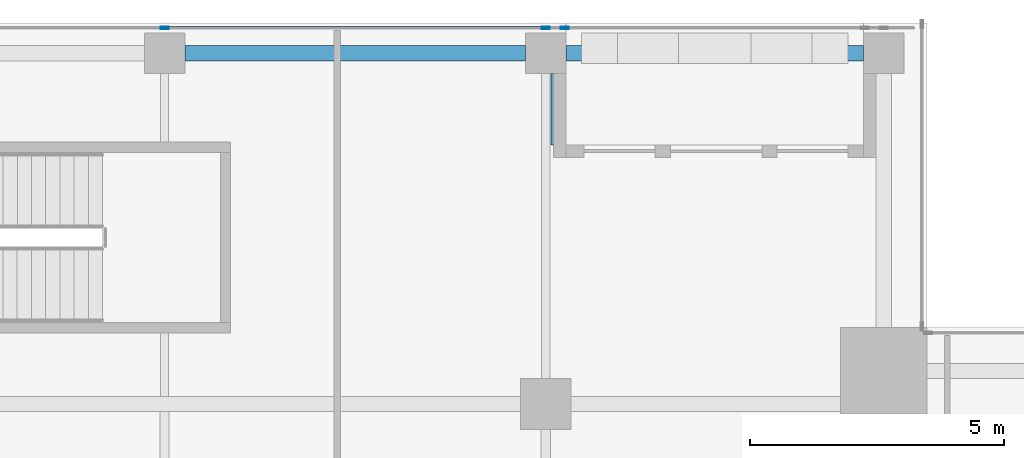
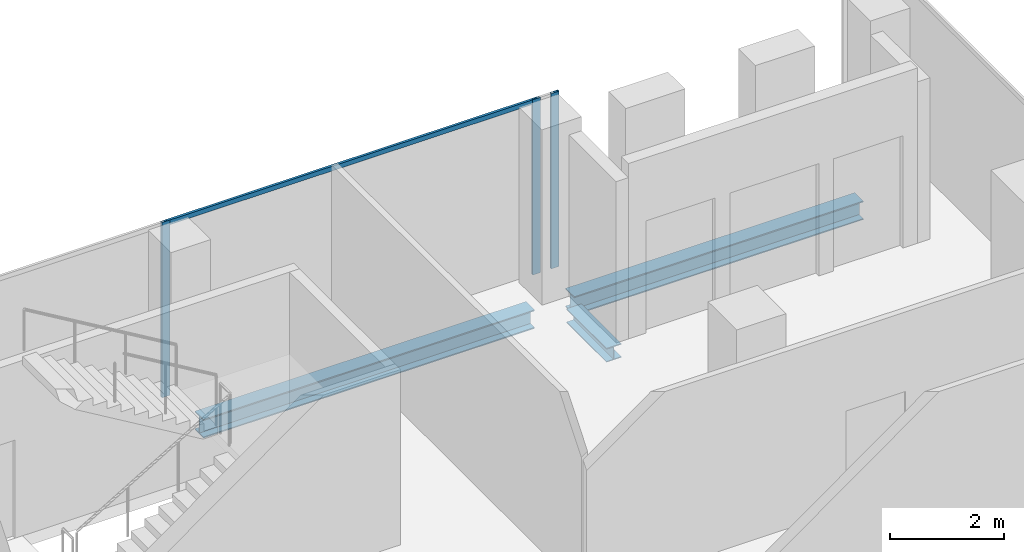
# One storey, part 17 of 29: 4 members, 3 beams, 1 element without a shape of its own.
"""IFC4 building model written with IfcOpenShell, lengths in metres."""

import ifcopenshell
import ifcopenshell.guid

model = None  # the IFC model being written
_history = None  # IfcOwnerHistory: only IFC2X3 demands one
_inside = {}  # id of a spatial element -> (the spatial element, [elements in it])
_under = {}  # id of a project, library or spatial element -> (it, [spatial elements below it])
_declared = {}  # id of a project -> (the project, [libraries it declares])
_typed = {}  # id of a type object -> (the type object, [elements of that type])
_made_of = {}  # id of a material, layer set ... -> (it, [elements and type objects made of it])


def new_model(schema):
    """Start an empty IFC model of exactly this schema.

    Asked for "IFC4X3", IfcOpenShell would pick the latest addendum, in which some entities
    have other attributes; the version numbers below select the first issue.
    IFC2X3 requires an IfcOwnerHistory on every rooted entity: one is made here for all.
    """
    global model, _history
    if schema == "IFC4X3":
        model = ifcopenshell.file(schema_version=(4, 3, 0, 0))
    else:
        model = ifcopenshell.file(schema=schema)
    _inside.clear()
    _under.clear()
    _declared.clear()
    _typed.clear()
    _made_of.clear()
    _history = None
    if model.schema == "IFC2X3":
        org = make("IfcOrganization", Name="unknown")
        user = make(
            "IfcPersonAndOrganization",
            ThePerson=make("IfcPerson", FamilyName="unknown"),
            TheOrganization=org,
        )
        app = make(
            "IfcApplication",
            ApplicationDeveloper=org,
            Version="unknown",
            ApplicationFullName="unknown",
            ApplicationIdentifier="unknown",
        )
        _history = make(
            "IfcOwnerHistory",
            OwningUser=user,
            OwningApplication=app,
            ChangeAction="ADDED",
            CreationDate=0,
        )
    return model


def make(cls, **values):
    """One entity of the class cls with the attributes given. An attribute that is None is left unset."""
    return model.create_entity(
        cls, **{name: value for name, value in values.items() if value is not None}
    )


def rooted(cls, **values):
    """An entity with a GlobalId (a new one), such as an element, a storey or a relation."""
    return make(cls, GlobalId=ifcopenshell.guid.new(), OwnerHistory=_history, **values)


def si_unit(unit_type, name, prefix=None):
    """IfcSIUnit, for example si_unit("LENGTHUNIT", "METRE", prefix="MILLI")."""
    return make("IfcSIUnit", UnitType=unit_type, Prefix=prefix, Name=name)


def assignment(units):
    """IfcUnitAssignment: the units of a project."""
    return None if units is None else make("IfcUnitAssignment", Units=units)


def point(xyz):
    """IfcCartesianPoint."""
    return None if xyz is None else make("IfcCartesianPoint", Coordinates=xyz)


def direction(xyz):
    """IfcDirection."""
    return None if xyz is None else make("IfcDirection", DirectionRatios=xyz)


def frame(location, z_axis=None, x_axis=None):
    """IfcAxis2Placement3D, a coordinate frame: its origin and axes. An axis left out is left unset."""
    return make(
        "IfcAxis2Placement3D",
        Location=point(location),
        Axis=direction(z_axis),
        RefDirection=direction(x_axis),
    )


def frame_2d(location, x_axis=None):
    """IfcAxis2Placement2D, a coordinate frame in the plane: its origin and x axis."""
    return make(
        "IfcAxis2Placement2D", Location=point(location), RefDirection=direction(x_axis)
    )


def origin():
    """The frame at (0, 0, 0) with its axes left unset."""
    return frame((0.0, 0.0, 0.0))


def origin_2d():
    """The frame at (0, 0) in the plane with its x axis left unset."""
    return frame_2d((0.0, 0.0))


def place(relative_to, where):
    """IfcLocalPlacement: puts the frame where relative to a parent placement (None: the world)."""
    return make(
        "IfcLocalPlacement", PlacementRelTo=relative_to, RelativePlacement=where
    )


def context(
    kind, dimensions, precision=None, world=None, true_north=None, identifier=None
):
    """IfcGeometricRepresentationContext, for example the 3D "Model" context."""
    return make(
        "IfcGeometricRepresentationContext",
        ContextIdentifier=identifier,
        ContextType=kind,
        CoordinateSpaceDimension=dimensions,
        Precision=precision,
        WorldCoordinateSystem=world,
        TrueNorth=true_north,
    )


def subcontext(parent, identifier, kind, view, scale=None):
    """IfcGeometricRepresentationSubContext, for example "Body" below "Model"."""
    return make(
        "IfcGeometricRepresentationSubContext",
        ContextIdentifier=identifier,
        ContextType=kind,
        ParentContext=parent,
        TargetScale=scale,
        TargetView=view,
    )


def project(units=None, contexts=None):
    """IfcProject with its units and contexts."""
    return rooted(
        "IfcProject",
        Name="project",
        RepresentationContexts=contexts,
        UnitsInContext=assignment(units),
    )


def spatial(cls, under=None, at=None, **own):
    """A site, building, storey or space (cls), placed at a placement, below another one or the project."""
    s = rooted(cls, ObjectPlacement=at, **own)
    if under is not None:
        _under.setdefault(under.id(), (under, []))[1].append(s)
    return s


def profile(cls, at=None, kind="AREA", **sizes):
    """A parametric profile (cls). Its sizes go by their IFC names, for example OverallWidth=200.0."""
    return make(cls, ProfileType=kind, Position=at, **sizes)


def hollow_rectangle(**sizes):
    """IfcRectangleHollowProfileDef."""
    return profile("IfcRectangleHollowProfileDef", **sizes)


def i_section(**sizes):
    """IfcIShapeProfileDef."""
    return profile("IfcIShapeProfileDef", **sizes)


def extrude(swept, where, along, depth):
    """IfcExtrudedAreaSolid: the profile swept, set in the frame where, extruded along a direction by depth."""
    return make(
        "IfcExtrudedAreaSolid",
        SweptArea=swept,
        Position=where,
        ExtrudedDirection=direction(along),
        Depth=depth,
    )


def shape(context_of_items, identifier, shape_type, items):
    """IfcShapeRepresentation: the items that make up one representation, for example the "Body"."""
    return make(
        "IfcShapeRepresentation",
        ContextOfItems=context_of_items,
        RepresentationIdentifier=identifier,
        RepresentationType=shape_type,
        Items=items,
    )


def source(mapping_origin, context_of_items, identifier, shape_type, items):
    """IfcRepresentationMap: a shape defined once, which mapped items show again and again."""
    return make(
        "IfcRepresentationMap",
        MappingOrigin=mapping_origin,
        MappedRepresentation=shape(context_of_items, identifier, shape_type, items),
    )


def transform(
    local_origin,
    x_axis=None,
    y_axis=None,
    z_axis=None,
    scale=None,
    scale2=None,
    scale3=None,
    uniform=True,
):
    """IfcCartesianTransformationOperator3D, or its non-uniform kind. x_axis, y_axis, z_axis: its Axis1, 2, 3."""
    if uniform:
        return make(
            "IfcCartesianTransformationOperator3D",
            Axis1=direction(x_axis),
            Axis2=direction(y_axis),
            LocalOrigin=point(local_origin),
            Scale=scale,
            Axis3=direction(z_axis),
        )
    return make(
        "IfcCartesianTransformationOperator3DnonUniform",
        Axis1=direction(x_axis),
        Axis2=direction(y_axis),
        LocalOrigin=point(local_origin),
        Scale=scale,
        Axis3=direction(z_axis),
        Scale2=scale2,
        Scale3=scale3,
    )


def mapped(mapping_source, mapping_target):
    """IfcMappedItem: shows the shape of a source again, moved by a transform."""
    return make(
        "IfcMappedItem", MappingSource=mapping_source, MappingTarget=mapping_target
    )


def material(Name=None, Category=None):
    """IfcMaterial."""
    return make("IfcMaterial", Name=Name, Category=Category)


def material_profile(
    of_material, cross_section, Name=None, Category=None, Priority=None
):
    """IfcMaterialProfile: a cross section and its material."""
    return make(
        "IfcMaterialProfile",
        Name=Name,
        Material=of_material,
        Profile=cross_section,
        Priority=Priority,
        Category=Category,
    )


def profile_set(profiles, Name=None, composite=None):
    """IfcMaterialProfileSet."""
    return make(
        "IfcMaterialProfileSet",
        Name=Name,
        MaterialProfiles=profiles,
        CompositeProfile=composite,
    )


def made_of(thing, what):
    """Note that an element or type object is made of a material, layer set ...; save() writes the relation."""
    if what is not None:
        _made_of.setdefault(what.id(), (what, []))[1].append(thing)
    return thing


def type_object(cls, material=None, **own):
    """A type object (cls), such as IfcWallType, which elements share."""
    return made_of(rooted(cls, **own), material)


def element(
    cls,
    number,
    at=None,
    inside=None,
    cuts=None,
    type_object=None,
    material=None,
    context=None,
    identifier="Body",
    shape_type=None,
    held_by="IfcProductDefinitionShape",
    body=None,
    shapes=None,
    **own,
):
    """One element of the class cls, such as IfcWall. Its Tag is "e" and its number.

    at: its placement. inside: the storey or other place that contains it. cuts: it is an
    opening in that element (IfcRelVoidsElement). A single representation is given by context,
    identifier, shape_type and body (its items); several are given by shapes. held_by: the class
    of the entity that holds the representations. save() writes the other relations.
    """
    e = rooted(cls, Tag="e%d" % number, ObjectPlacement=at, **own)
    if body is not None:
        shapes = [shape(context, identifier, shape_type, body)]
    if shapes is not None:
        e.Representation = make(held_by, Representations=shapes)
    if inside is not None:
        _inside.setdefault(inside.id(), (inside, []))[1].append(e)
    if cuts is not None:
        rooted(
            "IfcRelVoidsElement", RelatingBuildingElement=cuts, RelatedOpeningElement=e
        )
    if type_object is not None:
        _typed.setdefault(type_object.id(), (type_object, []))[1].append(e)
    return made_of(e, material)


def aggregate(whole, parts):
    """IfcRelAggregates: a whole, such as a stair, and the parts it consists of."""
    return rooted("IfcRelAggregates", RelatingObject=whole, RelatedObjects=parts)


def save(model, path):
    """Write the relations noted so far, then the file.

    IfcRelAggregates (storeys below a building ...), IfcRelContainedInSpatialStructure (elements
    in a storey), IfcRelDefinesByType, IfcRelAssociatesMaterial and IfcRelDeclares: one each for
    every whole, place, type object, material and project.
    """
    for whole, parts in _under.values():
        aggregate(whole, parts)
    for where, things in _inside.values():
        rooted(
            "IfcRelContainedInSpatialStructure",
            RelatedElements=things,
            RelatingStructure=where,
        )
    for kind, things in _typed.values():
        rooted("IfcRelDefinesByType", RelatedObjects=things, RelatingType=kind)
    for what, things in _made_of.values():
        rooted("IfcRelAssociatesMaterial", RelatedObjects=things, RelatingMaterial=what)
    for by, libraries in _declared.values():
        rooted("IfcRelDeclares", RelatingContext=by, RelatedDefinitions=libraries)
    model.write(path)


model = new_model("IFC4")

# Units and contexts
model_context = context("Model", 3, precision=1e-05, world=origin(), true_north=direction((0.0, 1.0)))
body_context = subcontext(model_context, "Body", "Model", "MODEL_VIEW")
ifc_project = project(units=[si_unit("LENGTHUNIT", "METRE"), si_unit("AREAUNIT", "SQUARE_METRE"), si_unit("VOLUMEUNIT", "CUBIC_METRE"), si_unit("PLANEANGLEUNIT", "RADIAN"), si_unit("MASSUNIT", "GRAM", prefix="KILO")], contexts=[model_context])

# Site, building, storey
site_placement = place(None, origin())
site = spatial("IfcSite", under=ifc_project, at=site_placement, CompositionType="ELEMENT")
building_placement = place(site_placement, origin())
building = spatial("IfcBuilding", under=site, at=building_placement, Name="Khomas Fold Tower", CompositionType="ELEMENT")
storey_placement = place(building_placement, frame((0.0, 0.0, 310.199951171875)))
storey = spatial("IfcBuildingStorey", under=building, at=storey_placement, Name="L70", CompositionType="ELEMENT", Elevation=310.199951171875)

# Beams
ifc_material_1 = material(Name="Steel S355", Category="steel")
ifc_material_profile_1 = material_profile(ifc_material_1, i_section(OverallWidth=0.300048828125, OverallDepth=0.39990234375, WebThickness=0.013427734375, FlangeThickness=0.02392578125, at=origin_2d()), Name="HE 400 B")
ifc_profile_set_1 = profile_set([ifc_material_profile_1], Name="Steel S355")
beam_type_1 = type_object("IfcBeamType", Name="HE 400 B spandrel SB5", PredefinedType="SPANDREL", material=ifc_profile_set_1)
shared_shape_1 = source(origin(), body_context, "Body", "SweptSolid", [
    extrude(i_section(OverallWidth=0.300048828125, OverallDepth=0.39990234375, WebThickness=0.013427734375, FlangeThickness=0.02392578125, at=origin_2d()), origin(), (0.0, 0.0, 1.0), 5.85009765625),
])
beam_1_placement = place(storey_placement, frame((34.89990234375, 47.39990234375, -0.449951171875), z_axis=(1.0, 0.0, 0.0), x_axis=(0.0, 1.0, 0.0)))
element("IfcBeam", 1, at=beam_1_placement, inside=storey, type_object=beam_type_1, Name="SB5", PredefinedType="SPANDREL", context=body_context, shape_type="MappedRepresentation", body=[
    mapped(shared_shape_1, transform((0.0, 0.0, 0.0))),
])
shared_shape_2 = source(origin(), body_context, "Body", "SweptSolid", [
    extrude(i_section(OverallWidth=0.300048828125, OverallDepth=0.39990234375, WebThickness=0.013427734375, FlangeThickness=0.02392578125, at=origin_2d()), origin(), (0.0, 0.0, 1.0), 6.7001953125),
])
beam_2_placement = place(storey_placement, frame((27.39990234375, 47.39990234375, -0.449951171875), z_axis=(1.0, 0.0, 0.0), x_axis=(0.0, 1.0, 0.0)))
element("IfcBeam", 2, at=beam_2_placement, inside=storey, type_object=beam_type_1, Name="SB5", PredefinedType="SPANDREL", context=body_context, shape_type="MappedRepresentation", body=[
    mapped(shared_shape_2, transform((0.0, 0.0, 0.0))),
])
ifc_material_2 = material(Name="Steel S355", Category="steel")
ifc_material_profile_2 = material_profile(ifc_material_2, i_section(OverallWidth=0.300048828125, OverallDepth=0.300048828125, WebThickness=0.010986328125, FlangeThickness=0.01904296875, at=origin_2d()), Name="HE 300 B")
ifc_profile_set_2 = profile_set([ifc_material_profile_2], Name="Steel S355")
beam_type_2 = type_object("IfcBeamType", Name="HE 300 B beam BB1", PredefinedType="BEAM", material=ifc_profile_set_2)
shared_shape_3 = source(origin(), body_context, "Body", "SweptSolid", [
    extrude(i_section(OverallWidth=0.300048828125, OverallDepth=0.300048828125, WebThickness=0.010986328125, FlangeThickness=0.01904296875, at=origin_2d()), origin(), (0.0, 0.0, 1.0), 1.39990234375),
])
beam_3_placement = place(storey_placement, frame((34.75, 45.60009765625, -0.39990234375), z_axis=(0.0, 1.0, 0.0), x_axis=(-1.0, 0.0, 0.0)))
element("IfcBeam", 3, at=beam_3_placement, inside=storey, type_object=beam_type_2, Name="BB1", PredefinedType="BEAM", context=body_context, shape_type="MappedRepresentation", body=[
    mapped(shared_shape_3, transform((0.0, 0.0, 0.0))),
])

# Curtain wall, members
ifc_material_3 = material(Name="Aluminium framed double glazing", Category="aluminium")
curtain_wall_type = type_object("IfcCurtainWallType", Name="SK-Unitised clear-glass wall, upper floors CW3", PredefinedType="NOTDEFINED", material=ifc_material_3)
curtain_wall_placement = place(storey_placement, origin())
curtain_wall = element("IfcCurtainWall", 4, at=curtain_wall_placement, inside=storey, type_object=curtain_wall_type, Name="CW3 run L70 06-1", PredefinedType="NOTDEFINED")
ifc_material_4 = material(Name="Aluminium", Category="aluminium")
ifc_material_profile_3 = material_profile(ifc_material_4, hollow_rectangle(XDim=0.050048828125, YDim=0.159912109375, WallThickness=0.00390625, at=origin_2d()), Name="SK-Unitised clear-glass wall, upper floors mullion CW3-M")
ifc_profile_set_3 = profile_set([ifc_material_profile_3], Name="Aluminium")
member_type_1 = type_object("IfcMemberType", Name="SK-Unitised clear-glass wall, upper floors mullion CW3-M", PredefinedType="MULLION", material=ifc_profile_set_3)
shared_shape_4 = source(origin(), body_context, "Body", "SweptSolid", [
    extrude(hollow_rectangle(XDim=0.050048828125, YDim=0.159912109375, WallThickness=0.00390625, at=origin_2d()), origin(), (0.0, 0.0, 1.0), 3.75),
])
member_1_placement = place(storey_placement, frame((34.875, 47.89990234375, 0.0), z_axis=(0.0, 0.0, 1.0), x_axis=(0.0, -1.0, 0.0)))
member_1 = element("IfcMember", 5, at=member_1_placement, type_object=member_type_1, Name="CW3 mullion 1", PredefinedType="MULLION", context=body_context, shape_type="MappedRepresentation", body=[
    mapped(shared_shape_4, transform((0.0, 0.0, 0.0))),
])
member_2_placement = place(storey_placement, frame((34.5, 47.89990234375, 0.0), z_axis=(0.0, 0.0, 1.0), x_axis=(0.0, -1.0, 0.0)))
member_2 = element("IfcMember", 6, at=member_2_placement, type_object=member_type_1, Name="CW3 mullion 2", PredefinedType="MULLION", context=body_context, shape_type="MappedRepresentation", body=[
    mapped(shared_shape_4, transform((0.0, 0.0, 0.0))),
])
member_3_placement = place(storey_placement, frame((27.0, 47.89990234375, 0.0), z_axis=(0.0, 0.0, 1.0), x_axis=(0.0, -1.0, 0.0)))
member_3 = element("IfcMember", 7, at=member_3_placement, type_object=member_type_1, Name="CW3 mullion 3", PredefinedType="MULLION", context=body_context, shape_type="MappedRepresentation", body=[
    mapped(shared_shape_4, transform((0.0, 0.0, 0.0))),
])
ifc_material_5 = material(Name="Aluminium", Category="aluminium")
ifc_material_profile_4 = material_profile(ifc_material_5, hollow_rectangle(XDim=0.050048828125, YDim=0.10009765625, WallThickness=0.00390625, at=origin_2d()), Name="SK-Unitised clear-glass wall, upper floors transom CW3-T")
ifc_profile_set_4 = profile_set([ifc_material_profile_4], Name="Aluminium")
member_type_2 = type_object("IfcMemberType", Name="SK-Unitised clear-glass wall, upper floors transom CW3-T", PredefinedType="USERDEFINED", material=ifc_profile_set_4)
shared_shape_5 = source(origin(), body_context, "Body", "SweptSolid", [
    extrude(hollow_rectangle(XDim=0.050048828125, YDim=0.10009765625, WallThickness=0.00390625, at=origin_2d()), origin(), (0.0, 0.0, 1.0), 7.4501953125),
])
member_4_placement = place(storey_placement, frame((34.47509765625, 47.89990234375, 3.699951171875), z_axis=(-1.0, 0.0, 0.0), x_axis=(0.0, -1.0, 0.0)))
member_4 = element("IfcMember", 8, at=member_4_placement, type_object=member_type_2, Name="CW3 transom 2", ObjectType="TRANSOM", PredefinedType="USERDEFINED", context=body_context, shape_type="MappedRepresentation", body=[
    mapped(shared_shape_5, transform((0.0, 0.0, 0.0))),
])
aggregate(curtain_wall, [member_1, member_2, member_3, member_4])

save(model, "model.ifc")
